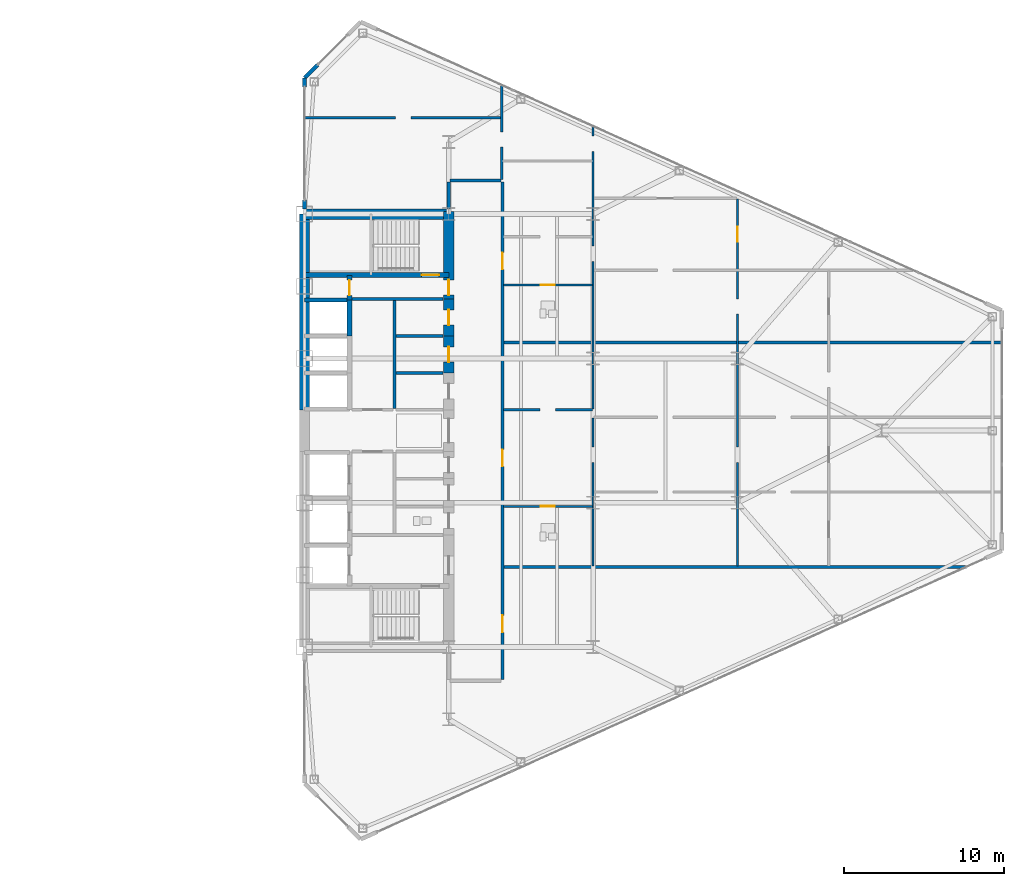
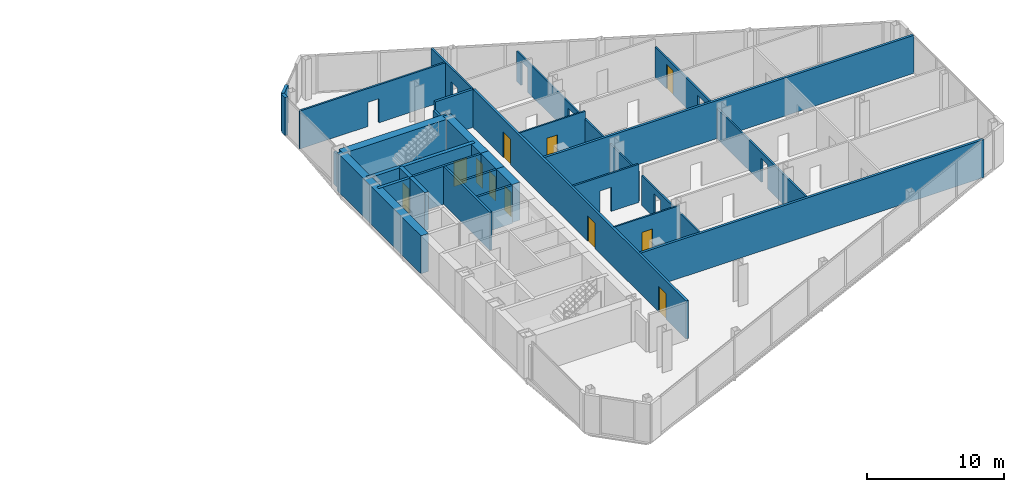
# One storey, part 23 of 27: 29 walls, 11 doors, 19 openings.
"""IFC4 building model written with IfcOpenShell, lengths in metres."""

from ifc_helpers import new_model, si_unit, direction, frame, frame_2d, origin, place, context, subcontext, project, spatial, rectangle, extrude, source, transform, mapped, material, layer, layer_set, type_object, type_shapes, element, fill, save


model = new_model("IFC4")

# Units and contexts
model_context = context("Model", 3, precision=1e-05, world=origin(), true_north=direction((0.0, 1.0)))
body_context = subcontext(model_context, "Body", "Model", "MODEL_VIEW")
ifc_project = project(units=[si_unit("LENGTHUNIT", "METRE"), si_unit("AREAUNIT", "SQUARE_METRE"), si_unit("VOLUMEUNIT", "CUBIC_METRE"), si_unit("PLANEANGLEUNIT", "RADIAN"), si_unit("MASSUNIT", "GRAM", prefix="KILO")], contexts=[model_context])

# Site, building, storey
site_placement = place(None, origin())
site = spatial("IfcSite", under=ifc_project, at=site_placement, CompositionType="ELEMENT")
building_placement = place(site_placement, origin())
building = spatial("IfcBuilding", under=site, at=building_placement, Name="Seokmaru Belvedere", CompositionType="ELEMENT")
storey_placement = place(building_placement, frame((0.0, 0.0, 76.5)))
storey = spatial("IfcBuildingStorey", under=building, at=storey_placement, Name="L20", CompositionType="ELEMENT", Elevation=76.5)

# Wall, opening
ifc_material_1 = material(Name="Fire-Rated Gypsum Shaftwall")
ifc_layer_1 = layer(ifc_material_1, 0.14990234375)
ifc_layer_set_1 = layer_set([ifc_layer_1], Name="Fire-Rated Gypsum Shaftwall")
wall_type_1 = type_object("IfcWallType", Name="Apartment Fire-Acoustic Room Partition 150", PredefinedType="PARTITIONING", material=ifc_layer_set_1)
wall_1_placement = place(storey_placement, frame((39.89990234375, 1.300048828125, 0.0), z_axis=(0.0, 0.0, 1.0), x_axis=(1.0, 0.0, 0.0)))
wall_1 = element("IfcWall", 1, at=wall_1_placement, inside=storey, type_object=wall_type_1, Name="L20 Interior Partition 016", PredefinedType="PARTITIONING", context=body_context, shape_type="SweptSolid", body=[
    extrude(rectangle(XDim=5.550048828125, YDim=0.14990234375, at=frame_2d((2.77490234375, 0.0))), origin(), (0.0, 0.0, 1.0), 3.3798828125),
])
opening_1_placement = place(wall_1_placement, frame((2.300048828125, 0.0, 0.0)))
element("IfcOpeningElement", 2, at=opening_1_placement, cuts=wall_1, Name="L20 Cased Opening 036", PredefinedType="OPENING", context=body_context, shape_type="SweptSolid", body=[
    extrude(rectangle(XDim=0.949951171875, YDim=2.14990234375, at=frame_2d((0.47509765625, 1.074951171875))), frame((0.0, 0.0849609375, 0.0), z_axis=(0.0, -1.0, 0.0), x_axis=(1.0, 0.0, 0.0)), (0.0, 0.0, 1.0), 0.169921875),
])

wall_2_placement = place(storey_placement, frame((27.465087890625, 19.5, 0.0), z_axis=(0.0, 0.0, 1.0), x_axis=(1.0, 0.0, 0.0)))
wall_2 = element("IfcWall", 3, at=wall_2_placement, inside=storey, type_object=wall_type_1, Name="L20 Interior Partition 032", PredefinedType="PARTITIONING", context=body_context, shape_type="SweptSolid", body=[
    extrude(rectangle(XDim=12.284912109375, YDim=0.14990234375, at=frame_2d((6.142578125, 0.0))), origin(), (0.0, 0.0, 1.0), 3.3798828125),
])
opening_2_placement = place(wall_2_placement, frame((5.7099609375, 0.0, 0.0)))
element("IfcOpeningElement", 4, at=opening_2_placement, cuts=wall_2, Name="L20 Cased Opening 057", PredefinedType="OPENING", context=body_context, shape_type="SweptSolid", body=[
    extrude(rectangle(XDim=0.949951171875, YDim=2.14990234375, at=frame_2d((0.47509765625, 1.074951171875))), frame((0.0, 0.0849609375, 0.0), z_axis=(0.0, -1.0, 0.0), x_axis=(1.0, 0.0, 0.0)), (0.0, 0.0, 1.0), 0.169921875),
])

wall_3_placement = place(storey_placement, frame((39.800048828125, 15.64990234375, 0.0), z_axis=(0.0, 0.0, 1.0), x_axis=(0.0, 1.0, 0.0)))
wall_3 = element("IfcWall", 5, at=wall_3_placement, inside=storey, type_object=wall_type_1, Name="L20 Interior Partition 045", PredefinedType="PARTITIONING", context=body_context, shape_type="SweptSolid", body=[
    extrude(rectangle(XDim=5.925048828125, YDim=0.14990234375, at=frame_2d((2.96240234375, 0.0))), origin(), (0.0, 0.0, 1.0), 3.3798828125),
])
opening_3_placement = place(wall_3_placement, frame((2.029296875, 0.0, 0.0)))
element("IfcOpeningElement", 6, at=opening_3_placement, cuts=wall_3, Name="L20 Cased Opening 056", PredefinedType="OPENING", context=body_context, shape_type="SweptSolid", body=[
    extrude(rectangle(XDim=0.949951171875, YDim=2.14990234375, at=frame_2d((0.47509765625, 1.074951171875))), frame((0.0, 0.0849609375, 0.0), z_axis=(0.0, -1.0, 0.0), x_axis=(1.0, 0.0, 0.0)), (0.0, 0.0, 1.0), 0.169921875),
])

# Wall, openings, door
wall_4_placement = place(storey_placement, frame((54.5, -8.449951171875, 0.0), z_axis=(0.0, 0.0, 1.0), x_axis=(0.0, 1.0, 0.0)))
wall_4 = element("IfcWall", 7, at=wall_4_placement, inside=storey, type_object=wall_type_1, Name="L20 Interior Partition 049", PredefinedType="PARTITIONING", context=body_context, shape_type="SweptSolid", body=[
    extrude(rectangle(XDim=22.883056640625, YDim=0.14990234375, at=frame_2d((11.44140625, 0.0))), origin(), (0.0, 0.0, 1.0), 2.679931640625),
])
opening_4_placement = place(wall_4_placement, frame((6.47509765625, 0.0, 0.0)))
element("IfcOpeningElement", 8, at=opening_4_placement, cuts=wall_4, Name="L20 Cased Opening 038", PredefinedType="OPENING", context=body_context, shape_type="SweptSolid", body=[
    extrude(rectangle(XDim=0.949951171875, YDim=2.14990234375, at=frame_2d((0.47509765625, 1.074951171875))), frame((0.0, 0.0849609375, 0.0), z_axis=(0.0, -1.0, 0.0), x_axis=(1.0, 0.0, 0.0)), (0.0, 0.0, 1.0), 0.169921875),
])
opening_5_placement = place(wall_4_placement, frame((20.21240234375, 0.0, 0.0)))
opening_5 = element("IfcOpeningElement", 9, at=opening_5_placement, cuts=wall_4, Name="Opening D05", PredefinedType="OPENING", context=body_context, shape_type="SweptSolid", body=[
    extrude(rectangle(XDim=0.949951171875, YDim=2.14990234375, at=frame_2d((0.47509765625, 1.074951171875))), frame((0.0, 0.0849609375, 0.0), z_axis=(0.0, -1.0, 0.0), x_axis=(1.0, 0.0, 0.0)), (0.0, 0.0, 1.0), 0.169921875),
])
opening_6_placement = place(wall_4_placement, frame((15.720947265625, 0.0, 0.0)))
element("IfcOpeningElement", 10, at=opening_6_placement, cuts=wall_4, Name="L20 Cased Opening 053", PredefinedType="OPENING", context=body_context, shape_type="SweptSolid", body=[
    extrude(rectangle(XDim=0.949951171875, YDim=2.14990234375, at=frame_2d((0.47509765625, 1.074951171875))), frame((0.0, 0.0849609375, 0.0), z_axis=(0.0, -1.0, 0.0), x_axis=(1.0, 0.0, 0.0)), (0.0, 0.0, 1.0), 0.169921875),
])
ifc_material_2 = material(Name="Engineered White Oak Timber", Category="wood")
door_type_1 = type_object("IfcDoorType", Name="Apartment Interior Fire-Rated Oak Door 950x2150", OperationType="NOTDEFINED", PredefinedType="DOOR", material=ifc_material_2)
shared_shape_1 = source(origin(), body_context, "Body", "SweptSolid", [
    extrude(rectangle(XDim=0.949951171875, YDim=2.14990234375, at=frame_2d((0.47509765625, 1.074951171875))), frame((0.0, 0.02490234375, 0.0), z_axis=(0.0, -1.0, 0.0), x_axis=(1.0, 0.0, 0.0)), (0.0, 0.0, 1.0), 0.050048828125),
])
type_shapes(door_type_1, [shared_shape_1])
door_1_placement = place(opening_5_placement, origin())
door_1 = element("IfcDoor", 11, at=door_1_placement, inside=storey, type_object=door_type_1, Name="L20 Interior Door 050", OperationType="SINGLE_SWING_LEFT", OverallHeight=2.14990234375, OverallWidth=0.949951171875, PredefinedType="DOOR", context=body_context, shape_type="MappedRepresentation", body=[
    mapped(shared_shape_1, transform((0.0, 0.0, 0.0), scale=1.0)),
])
fill(opening_5, door_1)

# Walls
ifc_layer_2 = layer(ifc_material_1, 0.179931640625)
ifc_layer_set_2 = layer_set([ifc_layer_2], Name="Fire-Rated Gypsum Shaftwall")
wall_type_2 = type_object("IfcWallType", Name="Core Service Fire Partition 180", PredefinedType="PARTITIONING", material=ifc_layer_set_2)
wall_5_placement = place(storey_placement, frame((30.449951171875, 8.199951171875, 0.0), z_axis=(0.0, 0.0, 1.0), x_axis=(1.0, 0.0, 0.0)))
element("IfcWall", 12, at=wall_5_placement, inside=storey, type_object=wall_type_2, Name="L20 East Smokeproof Vestibule Partition", PredefinedType="PARTITIONING", context=body_context, shape_type="SweptSolid", body=[
    extrude(rectangle(XDim=5.699951171875, YDim=0.179931640625, at=frame_2d((2.85009765625, 0.0))), origin(), (0.0, 0.0, 1.0), 3.3798828125),
])
wall_6_placement = place(storey_placement, frame((33.10009765625, 1.3798828125, 0.0), z_axis=(0.0, 0.0, 1.0), x_axis=(0.0, 1.0, 0.0)))
element("IfcWall", 13, at=wall_6_placement, inside=storey, type_object=wall_type_2, Name="L20 East North Core Service Back Wall", PredefinedType="PARTITIONING", context=body_context, shape_type="SweptSolid", body=[
    extrude(rectangle(XDim=6.740234375, YDim=0.179931640625, at=frame_2d((3.3701171875, 0.0))), origin(), (0.0, 0.0, 1.0), 3.3798828125),
])
for number, where, z_axis, x_axis, name in (
    (14, (33.199951171875, 3.60009765625, 0.0), (0.0, 0.0, 1.0), (1.0, 0.0, 0.0), "L20 East Core Service Partition 3"),
    (15, (33.199951171875, 5.89990234375, 0.0), (0.0, 0.0, 1.0), (1.0, 0.0, 0.0), "L20 East Core Service Partition 4"),
):
    element("IfcWall", number, at=place(storey_placement, frame(where, z_axis=z_axis, x_axis=x_axis)), inside=storey, type_object=wall_type_2, Name=name, PredefinedType="PARTITIONING", context=body_context, shape_type="SweptSolid", body=[
        extrude(rectangle(XDim=2.949951171875, YDim=0.179931640625, at=frame_2d((1.47509765625, 0.0))), origin(), (0.0, 0.0, 1.0), 3.3798828125),
    ])
ifc_material_3 = material(Name="Concrete C50 (50 MPa)", Category="concrete")
ifc_layer_3 = layer(ifc_material_3, 0.25)
ifc_layer_set_3 = layer_set([ifc_layer_3], Name="Concrete C50 (50 MPa)")
wall_type_3 = type_object("IfcWallType", Name="Hoistway Transverse Concrete Divider Wall 250", PredefinedType="SHEAR", material=ifc_layer_set_3)
wall_7_placement = place(storey_placement, frame((27.5, 8.14990234375, 0.0), z_axis=(0.0, 0.0, 1.0), x_axis=(1.0, 0.0, 0.0)))
element("IfcWall", 16, at=wall_7_placement, inside=storey, type_object=wall_type_3, Name="L20 East Hoistway Divider Core Wall 7", PredefinedType="SHEAR", context=body_context, shape_type="SweptSolid", body=[
    extrude(rectangle(XDim=2.800048828125, YDim=0.25, at=frame_2d((1.39990234375, 0.0))), origin(), (0.0, 0.0, 1.0), 3.3798828125),
])
ifc_layer_4 = layer(ifc_material_1, 0.199951171875)
ifc_layer_set_4 = layer_set([ifc_layer_4], Name="Fire-Rated Gypsum Shaftwall")
wall_type_4 = type_object("IfcWallType", Name="Inter-Tenancy Fire Compartment Partition 200", PredefinedType="PARTITIONING", material=ifc_layer_set_4)
wall_8_placement = place(storey_placement, frame((39.929931640625, -8.5, 0.0), z_axis=(0.0, 0.0, 1.0), x_axis=(1.0, 0.0, 0.0)))
element("IfcWall", 17, at=wall_8_placement, inside=storey, type_object=wall_type_4, Name="L20 Interior Partition 008", PredefinedType="PARTITIONING", context=body_context, shape_type="SweptSolid", body=[
    extrude(rectangle(XDim=28.860107421875, YDim=0.199951171875, at=frame_2d((14.43017578125, 0.0))), origin(), (0.0, 0.0, 1.0), 3.3798828125),
])
wall_9_placement = place(storey_placement, frame((39.929931640625, 5.5, 0.0), z_axis=(0.0, 0.0, 1.0), x_axis=(1.0, 0.0, 0.0)))
element("IfcWall", 18, at=wall_9_placement, inside=storey, type_object=wall_type_4, Name="L20 Interior Partition 018", PredefinedType="PARTITIONING", context=body_context, shape_type="SweptSolid", body=[
    extrude(rectangle(XDim=31.074951171875, YDim=0.199951171875, at=frame_2d((15.53759765625, 0.0))), origin(), (0.0, 0.0, 1.0), 3.3798828125),
])
wall_10_placement = place(storey_placement, frame((36.5849609375, 15.60009765625, 0.0), z_axis=(0.0, 0.0, 1.0), x_axis=(1.0, 0.0, 0.0)))
element("IfcWall", 19, at=wall_10_placement, inside=storey, type_object=wall_type_4, Name="L20 Interior Partition 028", PredefinedType="PARTITIONING", context=body_context, shape_type="SweptSolid", body=[
    extrude(rectangle(XDim=3.179931640625, YDim=0.199951171875, at=frame_2d((1.58984375, 0.0))), origin(), (0.0, 0.0, 1.0), 3.3798828125),
])
wall_11_placement = place(storey_placement, frame((36.5, 13.830078125, 0.0), z_axis=(0.0, 0.0, 1.0), x_axis=(0.0, 1.0, 0.0)))
element("IfcWall", 20, at=wall_11_placement, inside=storey, type_object=wall_type_4, Name="L20 Interior Partition 044", PredefinedType="PARTITIONING", context=body_context, shape_type="SweptSolid", body=[
    extrude(rectangle(XDim=1.684814453125, YDim=0.199951171875, at=frame_2d((0.84228515625, 0.0))), origin(), (0.0, 0.0, 1.0), 2.679931640625),
])

# Wall, openings, doors
wall_12_placement = place(storey_placement, frame((39.85009765625, -15.514892578125, 0.0), z_axis=(0.0, 0.0, 1.0), x_axis=(0.0, 1.0, 0.0)))
wall_12 = element("IfcWall", 21, at=wall_12_placement, inside=storey, type_object=wall_type_4, Name="L20 Interior Partition 046", PredefinedType="PARTITIONING", context=body_context, shape_type="SweptSolid", body=[
    extrude(rectangle(XDim=31.02978515625, YDim=0.199951171875, at=frame_2d((15.514892578125, 0.0))), origin(), (0.0, 0.0, 1.0), 3.3798828125),
])
opening_7_placement = place(wall_12_placement, frame((2.93994140625, 0.0, 0.0)))
opening_7 = element("IfcOpeningElement", 22, at=opening_7_placement, cuts=wall_12, Name="Opening D03", PredefinedType="OPENING", context=body_context, shape_type="SweptSolid", body=[
    extrude(rectangle(XDim=1.050048828125, YDim=2.25, at=frame_2d((0.52490234375, 1.125))), frame((0.0, 0.10986328125, 0.0), z_axis=(0.0, -1.0, 0.0), x_axis=(1.0, 0.0, 0.0)), (0.0, 0.0, 1.0), 0.219970703125),
])
opening_8_placement = place(wall_12_placement, frame((13.280029296875, 0.0, 0.0)))
opening_8 = element("IfcOpeningElement", 23, at=opening_8_placement, cuts=wall_12, Name="Opening D03", PredefinedType="OPENING", context=body_context, shape_type="SweptSolid", body=[
    extrude(rectangle(XDim=1.050048828125, YDim=2.25, at=frame_2d((0.52490234375, 1.125))), frame((0.0, 0.10986328125, 0.0), z_axis=(0.0, -1.0, 0.0), x_axis=(1.0, 0.0, 0.0)), (0.0, 0.0, 1.0), 0.219970703125),
])
opening_9_placement = place(wall_12_placement, frame((25.5673828125, 0.0, 0.0)))
opening_9 = element("IfcOpeningElement", 24, at=opening_9_placement, cuts=wall_12, Name="Opening D03", PredefinedType="OPENING", context=body_context, shape_type="SweptSolid", body=[
    extrude(rectangle(XDim=1.050048828125, YDim=2.25, at=frame_2d((0.52490234375, 1.125))), frame((0.0, 0.10986328125, 0.0), z_axis=(0.0, -1.0, 0.0), x_axis=(1.0, 0.0, 0.0)), (0.0, 0.0, 1.0), 0.219970703125),
])
ifc_material_4 = material(Name="Fire-Rated Steel Leaf", Category="steel")
door_type_2 = type_object("IfcDoorType", Name="Apartment Entrance Fire Door 1050x2250", OperationType="NOTDEFINED", PredefinedType="DOOR", material=ifc_material_4)
shared_shape_2 = source(origin(), body_context, "Body", "SweptSolid", [
    extrude(rectangle(XDim=1.050048828125, YDim=2.25, at=frame_2d((0.52490234375, 1.125))), frame((0.0, 0.02490234375, 0.0), z_axis=(0.0, -1.0, 0.0), x_axis=(1.0, 0.0, 0.0)), (0.0, 0.0, 1.0), 0.050048828125),
])
type_shapes(door_type_2, [shared_shape_2])
door_2_placement = place(opening_7_placement, origin())
door_2 = element("IfcDoor", 25, at=door_2_placement, inside=storey, type_object=door_type_2, Name="L20 Interior Door 033", OperationType="SINGLE_SWING_LEFT", OverallHeight=2.25, OverallWidth=1.050048828125, PredefinedType="DOOR", context=body_context, shape_type="MappedRepresentation", body=[
    mapped(shared_shape_2, transform((0.0, 0.0, 0.0), scale=1.0)),
])
fill(opening_7, door_2)
door_3_placement = place(opening_8_placement, origin())
door_3 = element("IfcDoor", 26, at=door_3_placement, inside=storey, type_object=door_type_2, Name="L20 Interior Door 034", OperationType="SINGLE_SWING_RIGHT", OverallHeight=2.25, OverallWidth=1.050048828125, PredefinedType="DOOR", context=body_context, shape_type="MappedRepresentation", body=[
    mapped(shared_shape_2, transform((0.0, 0.0, 0.0), scale=1.0)),
])
fill(opening_8, door_3)
door_4_placement = place(opening_9_placement, origin())
door_4 = element("IfcDoor", 27, at=door_4_placement, inside=storey, type_object=door_type_2, Name="L20 Interior Door 046", OperationType="SINGLE_SWING_LEFT", OverallHeight=2.25, OverallWidth=1.050048828125, PredefinedType="DOOR", context=body_context, shape_type="MappedRepresentation", body=[
    mapped(shared_shape_2, transform((0.0, 0.0, 0.0), scale=1.0)),
])
fill(opening_9, door_4)

# Wall, opening, door
ifc_layer_5 = layer(ifc_material_3, 0.300048828125)
ifc_layer_set_5 = layer_set([ifc_layer_5], Name="Concrete C50 (50 MPa)")
wall_type_5 = type_object("IfcWallType", Name="Internal Core Stair and Hoistway Wall 300", PredefinedType="SHEAR", material=ifc_layer_set_5)
wall_13_placement = place(storey_placement, frame((27.5, 9.699951171875, 0.0), z_axis=(0.0, 0.0, 1.0), x_axis=(1.0, 0.0, 0.0)))
wall_13 = element("IfcWall", 28, at=wall_13_placement, inside=storey, type_object=wall_type_5, Name="L20 East Stair ST-2 Enclosure Wall", PredefinedType="SHEAR", context=body_context, shape_type="SweptSolid", body=[
    extrude(rectangle(XDim=9.0, YDim=0.300048828125, at=frame_2d((4.5, 0.0))), origin(), (0.0, 0.0, 1.0), 3.3798828125),
])
opening_10_placement = place(wall_13_placement, frame((7.300048828125, 0.0, 0.0)))
opening_10 = element("IfcOpeningElement", 29, at=opening_10_placement, cuts=wall_13, Name="Opening D01", PredefinedType="OPENING", context=body_context, shape_type="SweptSolid", body=[
    extrude(rectangle(XDim=1.10009765625, YDim=2.199951171875, at=frame_2d((0.550048828125, 1.10009765625))), frame((0.0, 0.16015625, 0.0), z_axis=(0.0, -1.0, 0.0), x_axis=(1.0, 0.0, 0.0)), (0.0, 0.0, 1.0), 0.320068359375),
])
door_type_3 = type_object("IfcDoorType", Name="Special Escape Stair Smokeproof Fire Door 1100x2200", OperationType="NOTDEFINED", PredefinedType="DOOR", material=ifc_material_4)
shared_shape_3 = source(origin(), body_context, "Body", "SweptSolid", [
    extrude(rectangle(XDim=1.10009765625, YDim=2.199951171875, at=frame_2d((0.550048828125, 1.10009765625))), frame((0.0, 0.02490234375, 0.0), z_axis=(0.0, -1.0, 0.0), x_axis=(1.0, 0.0, 0.0)), (0.0, 0.0, 1.0), 0.050048828125),
])
type_shapes(door_type_3, [shared_shape_3])
door_5_placement = place(opening_10_placement, origin())
door_5 = element("IfcDoor", 30, at=door_5_placement, inside=storey, type_object=door_type_3, Name="L20 East Special Escape Stair ST-2 Door", OperationType="SINGLE_SWING_LEFT", OverallHeight=2.199951171875, OverallWidth=1.10009765625, PredefinedType="DOOR", context=body_context, shape_type="MappedRepresentation", body=[
    mapped(shared_shape_3, transform((0.0, 0.0, 0.0), scale=1.0)),
])
fill(opening_10, door_5)

# Wall
wall_14_placement = place(storey_placement, frame((30.300048828125, 5.89990234375, 0.0), z_axis=(0.0, 0.0, 1.0), x_axis=(0.0, 1.0, 0.0)))
element("IfcWall", 31, at=wall_14_placement, inside=storey, type_object=wall_type_5, Name="L20 East North Hoistway Wall OBS", PredefinedType="SHEAR", context=body_context, shape_type="SweptSolid", body=[
    extrude(rectangle(XDim=2.25, YDim=0.300048828125, at=frame_2d((1.125, 0.0))), origin(), (0.0, 0.0, 1.0), 3.3798828125),
])

# Wall, opening, door
wall_15_placement = place(storey_placement, frame((30.300048828125, 8.14990234375, 0.0), z_axis=(0.0, 0.0, 1.0), x_axis=(0.0, 1.0, 0.0)))
wall_15 = element("IfcWall", 32, at=wall_15_placement, inside=storey, type_object=wall_type_5, Name="L20 East Electrical Riser Front Wall", PredefinedType="SHEAR", context=body_context, shape_type="SweptSolid", body=[
    extrude(rectangle(XDim=1.530029296875, YDim=0.300048828125, at=frame_2d((0.76513671875, 0.0))), origin(), (0.0, 0.0, 1.0), 3.3798828125),
])
opening_11_placement = place(wall_15_placement, frame((0.284912109375, 0.0, 0.0)))
opening_11 = element("IfcOpeningElement", 33, at=opening_11_placement, cuts=wall_15, Name="Opening D04", PredefinedType="OPENING", context=body_context, shape_type="SweptSolid", body=[
    extrude(rectangle(XDim=0.949951171875, YDim=2.14990234375, at=frame_2d((0.47509765625, 1.074951171875))), frame((0.0, 0.16015625, 0.0), z_axis=(0.0, -1.0, 0.0), x_axis=(1.0, 0.0, 0.0)), (0.0, 0.0, 1.0), 0.320068359375),
])
door_type_4 = type_object("IfcDoorType", Name="Core Service Room Fire Door 950x2150", OperationType="NOTDEFINED", PredefinedType="DOOR", material=ifc_material_4)
shared_shape_4 = source(origin(), body_context, "Body", "SweptSolid", [
    extrude(rectangle(XDim=0.949951171875, YDim=2.14990234375, at=frame_2d((0.47509765625, 1.074951171875))), frame((0.0, 0.02490234375, 0.0), z_axis=(0.0, -1.0, 0.0), x_axis=(1.0, 0.0, 0.0)), (0.0, 0.0, 1.0), 0.050048828125),
])
type_shapes(door_type_4, [shared_shape_4])
door_6_placement = place(opening_11_placement, origin())
door_6 = element("IfcDoor", 34, at=door_6_placement, inside=storey, type_object=door_type_4, Name="L20 East Electrical Riser Access Door", OperationType="SINGLE_SWING_RIGHT", OverallHeight=2.14990234375, OverallWidth=0.949951171875, PredefinedType="DOOR", context=body_context, shape_type="MappedRepresentation", body=[
    mapped(shared_shape_4, transform((0.0, 0.0, 0.0), scale=1.0)),
])
fill(opening_11, door_6)

# Walls
ifc_material_5 = material(Name="Concrete C60 (60 MPa)", Category="concrete")
ifc_layer_6 = layer(ifc_material_5, 0.64990234375)
ifc_layer_set_6 = layer_set([ifc_layer_6], Name="Concrete C60 (60 MPa)")
wall_type_6 = type_object("IfcWallType", Name="Mid-Low Reinforced Concrete Core Wall 650", PredefinedType="SHEAR", material=ifc_layer_set_6)
wall_16_placement = place(storey_placement, frame((27.5, 1.300048828125, 0.0), z_axis=(0.0, 0.0, 1.0), x_axis=(0.0, 1.0, 0.0)))
element("IfcWall", 35, at=wall_16_placement, inside=storey, type_object=wall_type_6, Name="L20 East Portal Spine Core Wall North", PredefinedType="SHEAR", context=body_context, shape_type="SweptSolid", body=[
    extrude(rectangle(XDim=12.199951171875, YDim=0.64990234375, at=frame_2d((6.10009765625, 0.0))), origin(), (0.0, 0.0, 1.0), 3.3798828125),
])
wall_17_placement = place(storey_placement, frame((27.5, 13.5, 0.0), z_axis=(0.0, 0.0, 1.0), x_axis=(1.0, 0.0, 0.0)))
element("IfcWall", 36, at=wall_17_placement, inside=storey, type_object=wall_type_6, Name="L20 East North Core Wall", PredefinedType="SHEAR", context=body_context, shape_type="SweptSolid", body=[
    extrude(rectangle(XDim=9.0, YDim=0.64990234375, at=frame_2d((4.5, 0.0))), origin(), (0.0, 0.0, 1.0), 3.3798828125),
])

# Wall, opening, door
wall_18_placement = place(storey_placement, frame((36.5, 8.199951171875, 0.0), z_axis=(0.0, 0.0, 1.0), x_axis=(0.0, 1.0, 0.0)))
wall_18 = element("IfcWall", 37, at=wall_18_placement, inside=storey, type_object=wall_type_6, Name="L20 East West Core Wall VST", PredefinedType="SHEAR", context=body_context, shape_type="SweptSolid", body=[
    extrude(rectangle(XDim=5.449951171875, YDim=0.64990234375, at=frame_2d((2.72509765625, 0.0))), origin(), (0.0, 0.0, 1.0), 3.3798828125),
])
opening_12_placement = place(wall_18_placement, frame((0.2451171875, 0.0, 0.0)))
opening_12 = element("IfcOpeningElement", 38, at=opening_12_placement, cuts=wall_18, Name="Opening D04", PredefinedType="OPENING", context=body_context, shape_type="SweptSolid", body=[
    extrude(rectangle(XDim=0.949951171875, YDim=2.14990234375, at=frame_2d((0.47509765625, 1.074951171875))), frame((0.0, 0.3349609375, 0.0), z_axis=(0.0, -1.0, 0.0), x_axis=(1.0, 0.0, 0.0)), (0.0, 0.0, 1.0), 0.669921875),
])
door_7_placement = place(opening_12_placement, origin())
door_7 = element("IfcDoor", 39, at=door_7_placement, inside=storey, type_object=door_type_4, Name="L20 East Smokeproof Vestibule Door", OperationType="SINGLE_SWING_LEFT", OverallHeight=2.14990234375, OverallWidth=0.949951171875, PredefinedType="DOOR", context=body_context, shape_type="MappedRepresentation", body=[
    mapped(shared_shape_4, transform((0.0, 0.0, 0.0), scale=1.0)),
])
fill(opening_12, door_7)

wall_19_placement = place(storey_placement, frame((36.5, 3.60009765625, 0.0), z_axis=(0.0, 0.0, 1.0), x_axis=(0.0, 1.0, 0.0)))
wall_19 = element("IfcWall", 40, at=wall_19_placement, inside=storey, type_object=wall_type_6, Name="L20 East West Core Wall CS5", PredefinedType="SHEAR", context=body_context, shape_type="SweptSolid", body=[
    extrude(rectangle(XDim=2.2998046875, YDim=0.64990234375, at=frame_2d((1.14990234375, 0.0))), origin(), (0.0, 0.0, 1.0), 3.3798828125),
])
opening_13_placement = place(wall_19_placement, frame((0.675048828125, 0.0, 0.0)))
opening_13 = element("IfcOpeningElement", 41, at=opening_13_placement, cuts=wall_19, Name="Opening D04", PredefinedType="OPENING", context=body_context, shape_type="SweptSolid", body=[
    extrude(rectangle(XDim=0.949951171875, YDim=2.14990234375, at=frame_2d((0.47509765625, 1.074951171875))), frame((0.0, 0.3349609375, 0.0), z_axis=(0.0, -1.0, 0.0), x_axis=(1.0, 0.0, 0.0)), (0.0, 0.0, 1.0), 0.669921875),
])
door_8_placement = place(opening_13_placement, origin())
door_8 = element("IfcDoor", 42, at=door_8_placement, inside=storey, type_object=door_type_4, Name="L20 East Core Service Room Door 5", OperationType="SINGLE_SWING_RIGHT", OverallHeight=2.14990234375, OverallWidth=0.949951171875, PredefinedType="DOOR", context=body_context, shape_type="MappedRepresentation", body=[
    mapped(shared_shape_4, transform((0.0, 0.0, 0.0), scale=1.0)),
])
fill(opening_13, door_8)

wall_20_placement = place(storey_placement, frame((36.5, 5.89990234375, 0.0), z_axis=(0.0, 0.0, 1.0), x_axis=(0.0, 1.0, 0.0)))
wall_20 = element("IfcWall", 43, at=wall_20_placement, inside=storey, type_object=wall_type_6, Name="L20 East West Core Wall CS6", PredefinedType="SHEAR", context=body_context, shape_type="SweptSolid", body=[
    extrude(rectangle(XDim=2.300048828125, YDim=0.64990234375, at=frame_2d((1.14990234375, 0.0))), origin(), (0.0, 0.0, 1.0), 3.3798828125),
])
opening_14_placement = place(wall_20_placement, frame((0.675048828125, 0.0, 0.0)))
opening_14 = element("IfcOpeningElement", 44, at=opening_14_placement, cuts=wall_20, Name="Opening D04", PredefinedType="OPENING", context=body_context, shape_type="SweptSolid", body=[
    extrude(rectangle(XDim=0.949951171875, YDim=2.14990234375, at=frame_2d((0.47509765625, 1.074951171875))), frame((0.0, 0.3349609375, 0.0), z_axis=(0.0, -1.0, 0.0), x_axis=(1.0, 0.0, 0.0)), (0.0, 0.0, 1.0), 0.669921875),
])
door_9_placement = place(opening_14_placement, origin())
door_9 = element("IfcDoor", 45, at=door_9_placement, inside=storey, type_object=door_type_4, Name="L20 East Core Service Room Door 6", OperationType="SINGLE_SWING_LEFT", OverallHeight=2.14990234375, OverallWidth=0.949951171875, PredefinedType="DOOR", context=body_context, shape_type="MappedRepresentation", body=[
    mapped(shared_shape_4, transform((0.0, 0.0, 0.0), scale=1.0)),
])
fill(opening_14, door_9)

ifc_layer_7 = layer(ifc_material_1, 0.1298828125)
ifc_layer_set_7 = layer_set([ifc_layer_7], Name="Fire-Rated Gypsum Shaftwall")
wall_type_7 = type_object("IfcWallType", Name="Moisture-Resistant Fire-Rated Bathroom Partition 130", PredefinedType="PARTITIONING", material=ifc_layer_set_7)
wall_21_placement = place(storey_placement, frame((39.89990234375, -4.719970703125, 0.0), z_axis=(0.0, 0.0, 1.0), x_axis=(1.0, 0.0, 0.0)))
wall_21 = element("IfcWall", 46, at=wall_21_placement, inside=storey, type_object=wall_type_7, Name="L20 Interior Partition 011", PredefinedType="PARTITIONING", context=body_context, shape_type="SweptSolid", body=[
    extrude(rectangle(XDim=5.550048828125, YDim=0.1298828125, at=frame_2d((2.77490234375, 0.0))), origin(), (0.0, 0.0, 1.0), 3.3798828125),
])
opening_15_placement = place(wall_21_placement, frame((2.3349609375, 0.0, 0.0)))
opening_15 = element("IfcOpeningElement", 47, at=opening_15_placement, cuts=wall_21, Name="Opening D06", PredefinedType="OPENING", context=body_context, shape_type="SweptSolid", body=[
    extrude(rectangle(XDim=0.8798828125, YDim=2.10009765625, at=frame_2d((0.43994140625, 1.050048828125))), frame((0.0, 0.074951171875, 0.0), z_axis=(0.0, -1.0, 0.0), x_axis=(1.0, 0.0, 0.0)), (0.0, 0.0, 1.0), 0.14990234375),
])
door_type_5 = type_object("IfcDoorType", Name="Bathroom and Restroom Fire-Rated Door 880x2100", OperationType="NOTDEFINED", PredefinedType="DOOR", material=ifc_material_2)
shared_shape_5 = source(origin(), body_context, "Body", "SweptSolid", [
    extrude(rectangle(XDim=0.8798828125, YDim=2.10009765625, at=frame_2d((0.43994140625, 1.050048828125))), frame((0.0, 0.02490234375, 0.0), z_axis=(0.0, -1.0, 0.0), x_axis=(1.0, 0.0, 0.0)), (0.0, 0.0, 1.0), 0.050048828125),
])
type_shapes(door_type_5, [shared_shape_5])
door_10_placement = place(opening_15_placement, origin())
door_10 = element("IfcDoor", 48, at=door_10_placement, inside=storey, type_object=door_type_5, Name="L20 Interior Door 035", OperationType="SINGLE_SWING_RIGHT", OverallHeight=2.10009765625, OverallWidth=0.8798828125, PredefinedType="DOOR", context=body_context, shape_type="MappedRepresentation", body=[
    mapped(shared_shape_5, transform((0.0, 0.0, 0.0), scale=1.0)),
])
fill(opening_15, door_10)

wall_22_placement = place(storey_placement, frame((39.89990234375, 9.080078125, 0.0), z_axis=(0.0, 0.0, 1.0), x_axis=(1.0, 0.0, 0.0)))
wall_22 = element("IfcWall", 49, at=wall_22_placement, inside=storey, type_object=wall_type_7, Name="L20 Interior Partition 020", PredefinedType="PARTITIONING", context=body_context, shape_type="SweptSolid", body=[
    extrude(rectangle(XDim=5.550048828125, YDim=0.1298828125, at=frame_2d((2.77490234375, 0.0))), origin(), (0.0, 0.0, 1.0), 3.3798828125),
])
opening_16_placement = place(wall_22_placement, frame((2.3349609375, 0.0, 0.0)))
opening_16 = element("IfcOpeningElement", 50, at=opening_16_placement, cuts=wall_22, Name="Opening D06", PredefinedType="OPENING", context=body_context, shape_type="SweptSolid", body=[
    extrude(rectangle(XDim=0.8798828125, YDim=2.10009765625, at=frame_2d((0.43994140625, 1.050048828125))), frame((0.0, 0.074951171875, 0.0), z_axis=(0.0, -1.0, 0.0), x_axis=(1.0, 0.0, 0.0)), (0.0, 0.0, 1.0), 0.14990234375),
])
door_11_placement = place(opening_16_placement, origin())
door_11 = element("IfcDoor", 51, at=door_11_placement, inside=storey, type_object=door_type_5, Name="L20 Interior Door 047", OperationType="SINGLE_SWING_RIGHT", OverallHeight=2.10009765625, OverallWidth=0.8798828125, PredefinedType="DOOR", context=body_context, shape_type="MappedRepresentation", body=[
    mapped(shared_shape_5, transform((0.0, 0.0, 0.0), scale=1.0)),
])
fill(opening_16, door_11)

# Wall, opening
wall_23_placement = place(storey_placement, frame((45.5, -8.449951171875, 0.0), z_axis=(0.0, 0.0, 1.0), x_axis=(0.0, 1.0, 0.0)))
wall_23 = element("IfcWall", 52, at=wall_23_placement, inside=storey, type_object=wall_type_7, Name="L20 Interior Partition 047", PredefinedType="PARTITIONING", context=body_context, shape_type="SweptSolid", body=[
    extrude(rectangle(XDim=9.23291015625, YDim=0.1298828125, at=frame_2d((4.616455078125, 0.0))), origin(), (0.0, 0.0, 1.0), 2.679931640625),
])
opening_17_placement = place(wall_23_placement, frame((6.47509765625, 0.0, 0.0)))
element("IfcOpeningElement", 53, at=opening_17_placement, cuts=wall_23, Name="L20 Cased Opening 037", PredefinedType="OPENING", context=body_context, shape_type="SweptSolid", body=[
    extrude(rectangle(XDim=0.949951171875, YDim=2.14990234375, at=frame_2d((0.47509765625, 1.074951171875))), frame((0.0, 0.074951171875, 0.0), z_axis=(0.0, -1.0, 0.0), x_axis=(1.0, 0.0, 0.0)), (0.0, 0.0, 1.0), 0.14990234375),
])

# Wall, openings
wall_24_placement = place(storey_placement, frame((45.5, 1.35205078125, 0.0), z_axis=(0.0, 0.0, 1.0), x_axis=(0.0, 1.0, 0.0)))
wall_24 = element("IfcWall", 54, at=wall_24_placement, inside=storey, type_object=wall_type_7, Name="L20 Interior Partition 048", PredefinedType="PARTITIONING", context=body_context, shape_type="SweptSolid", body=[
    extrude(rectangle(XDim=17.657958984375, YDim=0.1298828125, at=frame_2d((8.8291015625, 0.0))), origin(), (0.0, 0.0, 1.0), 2.679931640625),
])
opening_18_placement = place(wall_24_placement, frame((9.20751953125, 0.0, 0.0)))
element("IfcOpeningElement", 55, at=opening_18_placement, cuts=wall_24, Name="L20 Cased Opening 049", PredefinedType="OPENING", context=body_context, shape_type="SweptSolid", body=[
    extrude(rectangle(XDim=0.949951171875, YDim=2.14990234375, at=frame_2d((0.47509765625, 1.074951171875))), frame((0.0, 0.074951171875, 0.0), z_axis=(0.0, -1.0, 0.0), x_axis=(1.0, 0.0, 0.0)), (0.0, 0.0, 1.0), 0.14990234375),
])
opening_19_placement = place(wall_24_placement, frame((16.06494140625, 0.0, 0.0)))
element("IfcOpeningElement", 56, at=opening_19_placement, cuts=wall_24, Name="L20 Cased Opening 055", PredefinedType="OPENING", context=body_context, shape_type="SweptSolid", body=[
    extrude(rectangle(XDim=0.949951171875, YDim=2.14990234375, at=frame_2d((0.47509765625, 1.074951171875))), frame((0.0, 0.074951171875, 0.0), z_axis=(0.0, -1.0, 0.0), x_axis=(1.0, 0.0, 0.0)), (0.0, 0.0, 1.0), 0.14990234375),
])

# Walls
ifc_material_6 = material(Name="Anodised Bronze Aluminium", Category="aluminium")
ifc_layer_8 = layer(ifc_material_6, 0.239990234375)
ifc_layer_set_8 = layer_set([ifc_layer_8], Name="Anodised Bronze Aluminium")
wall_type_8 = type_object("IfcWallType", Name="Tower Corner Spandrel Closure Wall 240", PredefinedType="SOLIDWALL", material=ifc_layer_set_8)
wall_25_placement = place(storey_placement, frame((28.313232421875, 22.813232421875, 0.0), z_axis=(0.0, 0.0, 1.0), x_axis=(-0.707106781187, -0.707106781187, 0.0)))
element("IfcWall", 57, at=wall_25_placement, inside=storey, type_object=wall_type_8, Name="L20 E Corner Closure Pier 4B", PredefinedType="SOLIDWALL", context=body_context, shape_type="SweptSolid", body=[
    extrude(rectangle(XDim=1.14013671875, YDim=0.239990234375, at=frame_2d((0.570068359375, 0.0))), origin(), (0.0, 0.0, 1.0), 3.3798828125),
])
wall_26_placement = place(storey_placement, frame((27.5, 13.830078125, 0.0), z_axis=(0.0, 0.0, 1.0), x_axis=(0.0, 1.0, 0.0)))
element("IfcWall", 58, at=wall_26_placement, inside=storey, type_object=wall_type_8, Name="L20 E Spine Closure Pier 2A", PredefinedType="SOLIDWALL", context=body_context, shape_type="SweptSolid", body=[
    extrude(rectangle(XDim=0.5498046875, YDim=0.239990234375, at=frame_2d((0.27490234375, 0.0))), origin(), (0.0, 0.0, 1.0), 2.8798828125),
])
wall_27_placement = place(storey_placement, frame((27.5, 21.429931640625, 0.0), z_axis=(0.0, 0.0, 1.0), x_axis=(0.0, 1.0, 0.0)))
element("IfcWall", 59, at=wall_27_placement, inside=storey, type_object=wall_type_8, Name="L20 E Spine Closure Pier 2B", PredefinedType="SOLIDWALL", context=body_context, shape_type="SweptSolid", body=[
    extrude(rectangle(XDim=0.550048828125, YDim=0.239990234375, at=frame_2d((0.27490234375, 0.0))), origin(), (0.0, 0.0, 1.0), 3.3798828125),
])

save(model, "model.ifc")
